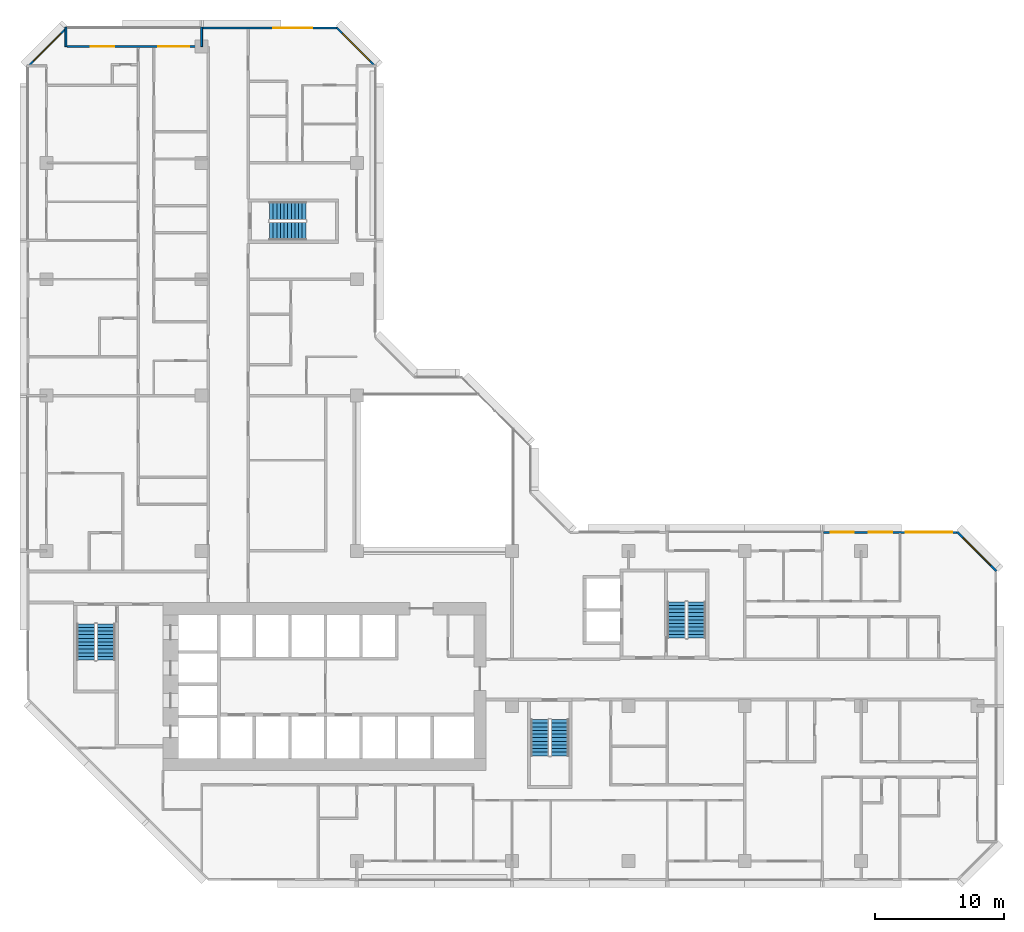
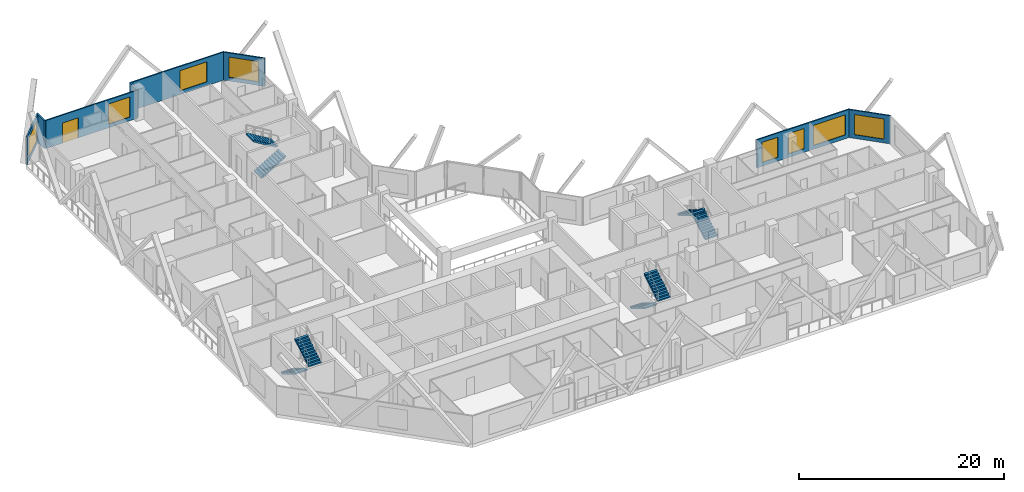
# One storey, part 13 of 15: 8 stair flights, 8 walls, 8 windows, 1 door, 9 openings, 4 elements without a shape of their own.
"""IFC4 building model written with IfcOpenShell, lengths in metres."""

from ifc_helpers import new_model, si_unit, direction, frame, frame_2d, origin, place, context, subcontext, project, spatial, polyline, rectangle, outline, extrude, material, layer, layer_set, type_object, element, fill, aggregate, save


model = new_model("IFC4")

# Units and contexts
model_context = context("Model", 3, precision=1e-05, world=origin(), true_north=direction((0.0, 1.0)))
body_context = subcontext(model_context, "Body", "Model", "MODEL_VIEW")
ifc_project = project(units=[si_unit("LENGTHUNIT", "METRE"), si_unit("AREAUNIT", "SQUARE_METRE"), si_unit("VOLUMEUNIT", "CUBIC_METRE"), si_unit("PLANEANGLEUNIT", "RADIAN"), si_unit("MASSUNIT", "GRAM", prefix="KILO")], contexts=[model_context])

# Site, building, storey
site_placement = place(None, origin())
site = spatial("IfcSite", under=ifc_project, at=site_placement, CompositionType="ELEMENT")
building_placement = place(site_placement, origin())
building = spatial("IfcBuilding", under=site, at=building_placement, Name="Chenar Terraces", CompositionType="ELEMENT")
storey_placement = place(building_placement, frame((0.0, 0.0, 121.89990234375)))
storey = spatial("IfcBuildingStorey", under=building, at=storey_placement, Name="L28", CompositionType="ELEMENT", Elevation=121.89990234375)

# Wall, openings, windows
ifc_material_1 = material(Name="Aluminium framed glazing", Category="aluminium")
ifc_layer_1 = layer(ifc_material_1, 0.14990234375)
ifc_layer_set_1 = layer_set([ifc_layer_1], Name="Aluminium framed glazing")
wall_type_1 = type_object("IfcWallType", Name="Glazed flush facade wall 150", PredefinedType="SOLIDWALL", material=ifc_layer_set_1)
wall_1_placement = place(storey_placement, frame((70.5, 25.425048828125, 0.0), z_axis=(0.0, 0.0, 1.0), x_axis=(-1.0, 0.0, 0.0)))
wall_1 = element("IfcWall", 1, at=wall_1_placement, inside=storey, type_object=wall_type_1, Name="Glazed flush facade wall", PredefinedType="SOLIDWALL", context=body_context, shape_type="SweptSolid", body=[
    extrude(rectangle(XDim=10.425048828125, YDim=0.14990234375, at=frame_2d((5.21240234375, 0.0))), origin(), (0.0, 0.0, 1.0), 3.35009765625),
])
opening_1_placement = place(wall_1_placement, frame((0.449951171875, 0.0, 0.449951171875)))
opening_1 = element("IfcOpeningElement", 2, at=opening_1_placement, cuts=wall_1, Name="Opening W360x240", PredefinedType="OPENING", context=body_context, shape_type="SweptSolid", body=[
    extrude(rectangle(XDim=3.60009765625, YDim=2.39990234375, at=frame_2d((1.800048828125, 1.199951171875))), frame((0.0, 0.0849609375, 0.0), z_axis=(0.0, -1.0, 0.0), x_axis=(1.0, 0.0, 0.0)), (0.0, 0.0, 1.0), 0.169921875),
])
opening_2_placement = place(wall_1_placement, frame((5.10009765625, 0.0, 0.449951171875)))
opening_2 = element("IfcOpeningElement", 3, at=opening_2_placement, cuts=wall_1, Name="Opening W180x240", PredefinedType="OPENING", context=body_context, shape_type="SweptSolid", body=[
    extrude(rectangle(XDim=1.800048828125, YDim=2.39990234375, at=frame_2d((0.89990234375, 1.199951171875))), frame((0.0, 0.0849609375, 0.0), z_axis=(0.0, -1.0, 0.0), x_axis=(1.0, 0.0, 0.0)), (0.0, 0.0, 1.0), 0.169921875),
])
opening_3_placement = place(wall_1_placement, frame((8.0625, 0.0, 0.449951171875)))
opening_3 = element("IfcOpeningElement", 4, at=opening_3_placement, cuts=wall_1, Name="Opening W180x240", PredefinedType="OPENING", context=body_context, shape_type="SweptSolid", body=[
    extrude(rectangle(XDim=1.800048828125, YDim=2.39990234375, at=frame_2d((0.89990234375, 1.199951171875))), frame((0.0, 0.0849609375, 0.0), z_axis=(0.0, -1.0, 0.0), x_axis=(1.0, 0.0, 0.0)), (0.0, 0.0, 1.0), 0.169921875),
])
ifc_material_2 = material(Name="Low emissivity double glazing, aluminium frame", Category="aluminium")
window_type_1 = type_object("IfcWindowType", Name="Fixed light 1800 x 2400", PartitioningType="SINGLE_PANEL", PredefinedType="WINDOW", material=ifc_material_2)
window_1_placement = place(opening_2_placement, origin())
window_1 = element("IfcWindow", 5, at=window_1_placement, inside=storey, type_object=window_type_1, Name="Window", OverallHeight=2.39990234375, OverallWidth=1.800048828125, PartitioningType="SINGLE_PANEL", PredefinedType="WINDOW", context=body_context, shape_type="SweptSolid", body=[
    extrude(rectangle(XDim=1.800048828125, YDim=2.39990234375, at=frame_2d((0.89990234375, 1.199951171875))), frame((0.0, 0.030029296875, 0.0), z_axis=(0.0, -1.0, 0.0), x_axis=(1.0, 0.0, 0.0)), (0.0, 0.0, 1.0), 0.06005859375),
])
fill(opening_2, window_1)
window_2_placement = place(opening_3_placement, origin())
window_2 = element("IfcWindow", 6, at=window_2_placement, inside=storey, type_object=window_type_1, Name="Window", OverallHeight=2.39990234375, OverallWidth=1.800048828125, PartitioningType="SINGLE_PANEL", PredefinedType="WINDOW", context=body_context, shape_type="SweptSolid", body=[
    extrude(rectangle(XDim=1.800048828125, YDim=2.39990234375, at=frame_2d((0.89990234375, 1.199951171875))), frame((0.0, 0.030029296875, 0.0), z_axis=(0.0, -1.0, 0.0), x_axis=(1.0, 0.0, 0.0)), (0.0, 0.0, 1.0), 0.06005859375),
])
fill(opening_3, window_2)
ifc_material_3 = material(Name="Low emissivity double glazing, aluminium frame", Category="aluminium")
window_type_2 = type_object("IfcWindowType", Name="Fixed light 3600 x 2400", PartitioningType="SINGLE_PANEL", PredefinedType="WINDOW", material=ifc_material_3)
window_3_placement = place(opening_1_placement, origin())
window_3 = element("IfcWindow", 7, at=window_3_placement, inside=storey, type_object=window_type_2, Name="Window", OverallHeight=2.39990234375, OverallWidth=3.60009765625, PartitioningType="SINGLE_PANEL", PredefinedType="WINDOW", context=body_context, shape_type="SweptSolid", body=[
    extrude(rectangle(XDim=3.60009765625, YDim=2.39990234375, at=frame_2d((1.800048828125, 1.199951171875))), frame((0.0, 0.030029296875, 0.0), z_axis=(0.0, -1.0, 0.0), x_axis=(1.0, 0.0, 0.0)), (0.0, 0.0, 1.0), 0.06005859375),
])
fill(opening_1, window_3)

# Wall, opening, window
wall_2_placement = place(storey_placement, frame((22.5, 64.425048828125, 0.0), z_axis=(0.0, 0.0, 1.0), x_axis=(-1.0, 0.0, 0.0)))
wall_2 = element("IfcWall", 8, at=wall_2_placement, inside=storey, type_object=wall_type_1, Name="Glazed flush facade wall", PredefinedType="SOLIDWALL", context=body_context, shape_type="SweptSolid", body=[
    extrude(rectangle(XDim=10.425048828125, YDim=0.14990234375, at=frame_2d((5.21240234375, 0.0))), origin(), (0.0, 0.0, 1.0), 3.35009765625),
])
opening_4_placement = place(wall_2_placement, frame((1.949951171875, 0.0, 0.449951171875)))
opening_4 = element("IfcOpeningElement", 9, at=opening_4_placement, cuts=wall_2, Name="Opening W300x240", PredefinedType="OPENING", context=body_context, shape_type="SweptSolid", body=[
    extrude(rectangle(XDim=3.0, YDim=2.39990234375, at=frame_2d((1.5, 1.199951171875))), frame((0.0, 0.0849609375, 0.0), z_axis=(0.0, -1.0, 0.0), x_axis=(1.0, 0.0, 0.0)), (0.0, 0.0, 1.0), 0.169921875),
])
ifc_material_4 = material(Name="Low emissivity double glazing, aluminium frame", Category="aluminium")
window_type_3 = type_object("IfcWindowType", Name="Fixed light 3000 x 2400", PartitioningType="SINGLE_PANEL", PredefinedType="WINDOW", material=ifc_material_4)
window_4_placement = place(opening_4_placement, origin())
window_4 = element("IfcWindow", 10, at=window_4_placement, inside=storey, type_object=window_type_3, Name="Window", OverallHeight=2.39990234375, OverallWidth=3.0, PartitioningType="SINGLE_PANEL", PredefinedType="WINDOW", context=body_context, shape_type="SweptSolid", body=[
    extrude(rectangle(XDim=3.0, YDim=2.39990234375, at=frame_2d((1.5, 1.199951171875))), frame((0.0, 0.030029296875, 0.0), z_axis=(0.0, -1.0, 0.0), x_axis=(1.0, 0.0, 0.0)), (0.0, 0.0, 1.0), 0.06005859375),
])
fill(opening_4, window_4)

# Wall, openings, window, door
ifc_material_5 = material(Name="Aluminium framed glazing", Category="aluminium")
ifc_layer_2 = layer(ifc_material_5, 0.14990234375)
ifc_layer_set_2 = layer_set([ifc_layer_2], Name="Aluminium framed glazing")
wall_type_2 = type_object("IfcWallType", Name="Glazed loggia back wall 150", PredefinedType="SOLIDWALL", material=ifc_layer_set_2)
wall_3_placement = place(storey_placement, frame((11.925048828125, 63.0, 0.0), z_axis=(0.0, 0.0, 1.0), x_axis=(-1.0, 0.0, 0.0)))
wall_3 = element("IfcWall", 11, at=wall_3_placement, inside=storey, type_object=wall_type_2, Name="Glazed loggia back wall", PredefinedType="SOLIDWALL", context=body_context, shape_type="SweptSolid", body=[
    extrude(rectangle(XDim=10.35009765625, YDim=0.14990234375, at=frame_2d((5.175048828125, 0.0))), origin(), (0.0, 0.0, 1.0), 3.35009765625),
])
opening_5_placement = place(wall_3_placement, frame((0.875, 0.0, 0.449951171875)))
opening_5 = element("IfcOpeningElement", 12, at=opening_5_placement, cuts=wall_3, Name="Opening W240x240", PredefinedType="OPENING", context=body_context, shape_type="SweptSolid", body=[
    extrude(rectangle(XDim=2.39990234375, YDim=2.39990234375, at=frame_2d((1.199951171875, 1.199951171875))), frame((0.0, 0.0849609375, 0.0), z_axis=(0.0, -1.0, 0.0), x_axis=(1.0, 0.0, 0.0)), (0.0, 0.0, 1.0), 0.169921875),
])
opening_6_placement = place(wall_3_placement, frame((6.6875, 0.0, 0.0)))
opening_6 = element("IfcOpeningElement", 13, at=opening_6_placement, cuts=wall_3, Name="Opening DL28-G3", PredefinedType="OPENING", context=body_context, shape_type="SweptSolid", body=[
    extrude(rectangle(XDim=1.800048828125, YDim=2.39990234375, at=frame_2d((0.89990234375, 1.199951171875))), frame((0.0, 0.0849609375, 0.0), z_axis=(0.0, -1.0, 0.0), x_axis=(1.0, 0.0, 0.0)), (0.0, 0.0, 1.0), 0.169921875),
])
ifc_material_6 = material(Name="Low emissivity double glazing, aluminium frame", Category="aluminium")
window_type_4 = type_object("IfcWindowType", Name="Fixed light 2400 x 2400", PartitioningType="SINGLE_PANEL", PredefinedType="WINDOW", material=ifc_material_6)
window_5_placement = place(opening_5_placement, origin())
window_5 = element("IfcWindow", 14, at=window_5_placement, inside=storey, type_object=window_type_4, Name="Window", OverallHeight=2.39990234375, OverallWidth=2.39990234375, PartitioningType="SINGLE_PANEL", PredefinedType="WINDOW", context=body_context, shape_type="SweptSolid", body=[
    extrude(rectangle(XDim=2.39990234375, YDim=2.39990234375, at=frame_2d((1.199951171875, 1.199951171875))), frame((0.0, 0.030029296875, 0.0), z_axis=(0.0, -1.0, 0.0), x_axis=(1.0, 0.0, 0.0)), (0.0, 0.0, 1.0), 0.06005859375),
])
fill(opening_5, window_5)
ifc_material_7 = material(Name="Low emissivity double glazing, aluminium frame", Category="aluminium")
door_type = type_object("IfcDoorType", Name="Loggia glazed double door 1800 x 2400", OperationType="DOUBLE_DOOR_SINGLE_SWING", PredefinedType="DOOR", material=ifc_material_7)
door_placement = place(opening_6_placement, frame((1.800048828125, 0.0, 0.0), z_axis=(0.0, 0.0, 1.0), x_axis=(-1.0, 0.0, 0.0)))
door = element("IfcDoor", 15, at=door_placement, inside=storey, type_object=door_type, Name="Loggia glazed door", OperationType="DOUBLE_DOOR_SINGLE_SWING", OverallHeight=2.39990234375, OverallWidth=1.800048828125, PredefinedType="DOOR", context=body_context, shape_type="SweptSolid", body=[
    extrude(rectangle(XDim=1.800048828125, YDim=2.39990234375, at=frame_2d((0.89990234375, 1.199951171875))), frame((0.0, 0.02490234375, 0.0), z_axis=(0.0, -1.0, 0.0), x_axis=(1.0, 0.0, 0.0)), (0.0, 0.0, 1.0), 0.050048828125),
])
fill(opening_6, door)

# Walls
ifc_material_8 = material(Name="Terracotta cladding on insulated backing", Category="masonry")
ifc_layer_3 = layer(ifc_material_8, 0.14990234375)
ifc_layer_set_3 = layer_set([ifc_layer_3], Name="Terracotta cladding on insulated backing")
wall_type_3 = type_object("IfcWallType", Name="Loggia return wall 150", PredefinedType="SOLIDWALL", material=ifc_layer_set_3)
for number, where, z_axis, x_axis, name in (
    (16, (12.0, 64.5, 0.0), (0.0, 0.0, 1.0), (0.0, -1.0, 0.0), "Loggia return wall"),
    (17, (1.5, 64.5, 0.0), (0.0, 0.0, 1.0), (0.0, -1.0, 0.0), "Loggia return wall"),
):
    element("IfcWall", number, at=place(storey_placement, frame(where, z_axis=z_axis, x_axis=x_axis)), inside=storey, type_object=wall_type_3, Name=name, PredefinedType="SOLIDWALL", context=body_context, shape_type="SweptSolid", body=[
        extrude(rectangle(XDim=1.5, YDim=0.14990234375, at=frame_2d((0.75, 0.0))), origin(), (0.0, 0.0, 1.0), 3.35009765625),
    ])

# Wall, opening, window
ifc_material_9 = material(Name="Terracotta cladding on insulated backing", Category="masonry")
ifc_layer_4 = layer(ifc_material_9, 0.14990234375)
ifc_layer_set_4 = layer_set([ifc_layer_4], Name="Terracotta cladding on insulated backing")
wall_type_4 = type_object("IfcWallType", Name="Terracotta rainscreen wall 150", PredefinedType="SOLIDWALL", material=ifc_layer_set_4)
wall_4_placement = place(storey_placement, frame((25.447021484375, 61.447021484375, 0.0), z_axis=(0.0, 0.0, 1.0), x_axis=(-0.707106781187, 0.707106781187, 0.0)))
wall_4 = element("IfcWall", 18, at=wall_4_placement, inside=storey, type_object=wall_type_4, Name="Terracotta rainscreen wall", PredefinedType="SOLIDWALL", context=body_context, shape_type="SweptSolid", body=[
    extrude(rectangle(XDim=4.24267578125, YDim=0.14990234375, at=frame_2d((2.121337890625, 0.0))), origin(), (0.0, 0.0, 1.0), 3.35009765625),
])
opening_7_placement = place(wall_4_placement, frame((0.621337890625, 0.0, 0.449951171875)))
opening_7 = element("IfcOpeningElement", 19, at=opening_7_placement, cuts=wall_4, Name="Opening W300x240", PredefinedType="OPENING", context=body_context, shape_type="SweptSolid", body=[
    extrude(rectangle(XDim=3.0, YDim=2.39990234375, at=frame_2d((1.5, 1.199951171875))), frame((0.0, 0.0849609375, 0.0), z_axis=(0.0, -1.0, 0.0), x_axis=(1.0, 0.0, 0.0)), (0.0, 0.0, 1.0), 0.169921875),
])
window_6_placement = place(opening_7_placement, origin())
window_6 = element("IfcWindow", 20, at=window_6_placement, inside=storey, type_object=window_type_3, Name="Window", OverallHeight=2.39990234375, OverallWidth=3.0, PartitioningType="SINGLE_PANEL", PredefinedType="WINDOW", context=body_context, shape_type="SweptSolid", body=[
    extrude(rectangle(XDim=3.0, YDim=2.39990234375, at=frame_2d((1.5, 1.199951171875))), frame((0.0, 0.030029296875, 0.0), z_axis=(0.0, -1.0, 0.0), x_axis=(1.0, 0.0, 0.0)), (0.0, 0.0, 1.0), 0.06005859375),
])
fill(opening_7, window_6)

wall_5_placement = place(storey_placement, frame((1.552978515625, 64.447021484375, 0.0), z_axis=(0.0, 0.0, 1.0), x_axis=(-0.707106781187, -0.707106781187, 0.0)))
wall_5 = element("IfcWall", 21, at=wall_5_placement, inside=storey, type_object=wall_type_4, Name="Terracotta rainscreen wall", PredefinedType="SOLIDWALL", context=body_context, shape_type="SweptSolid", body=[
    extrude(rectangle(XDim=4.24267578125, YDim=0.14990234375, at=frame_2d((2.121337890625, 0.0))), origin(), (0.0, 0.0, 1.0), 3.35009765625),
])
opening_8_placement = place(wall_5_placement, frame((0.621337890625, 0.0, 0.449951171875)))
opening_8 = element("IfcOpeningElement", 22, at=opening_8_placement, cuts=wall_5, Name="Opening W300x240", PredefinedType="OPENING", context=body_context, shape_type="SweptSolid", body=[
    extrude(rectangle(XDim=3.0, YDim=2.39990234375, at=frame_2d((1.5, 1.199951171875))), frame((0.0, 0.0849609375, 0.0), z_axis=(0.0, -1.0, 0.0), x_axis=(1.0, 0.0, 0.0)), (0.0, 0.0, 1.0), 0.169921875),
])
window_7_placement = place(opening_8_placement, origin())
window_7 = element("IfcWindow", 23, at=window_7_placement, inside=storey, type_object=window_type_3, Name="Window", OverallHeight=2.39990234375, OverallWidth=3.0, PartitioningType="SINGLE_PANEL", PredefinedType="WINDOW", context=body_context, shape_type="SweptSolid", body=[
    extrude(rectangle(XDim=3.0, YDim=2.39990234375, at=frame_2d((1.5, 1.199951171875))), frame((0.0, 0.030029296875, 0.0), z_axis=(0.0, -1.0, 0.0), x_axis=(1.0, 0.0, 0.0)), (0.0, 0.0, 1.0), 0.06005859375),
])
fill(opening_8, window_7)

wall_6_placement = place(storey_placement, frame((73.447021484375, 22.447021484375, 0.0), z_axis=(0.0, 0.0, 1.0), x_axis=(-0.707106781187, 0.707106781187, 0.0)))
wall_6 = element("IfcWall", 24, at=wall_6_placement, inside=storey, type_object=wall_type_4, Name="Terracotta rainscreen wall", PredefinedType="SOLIDWALL", context=body_context, shape_type="SweptSolid", body=[
    extrude(rectangle(XDim=4.24267578125, YDim=0.14990234375, at=frame_2d((2.121337890625, 0.0))), origin(), (0.0, 0.0, 1.0), 3.35009765625),
])
opening_9_placement = place(wall_6_placement, frame((0.621337890625, 0.0, 0.449951171875)))
opening_9 = element("IfcOpeningElement", 25, at=opening_9_placement, cuts=wall_6, Name="Opening W300x240", PredefinedType="OPENING", context=body_context, shape_type="SweptSolid", body=[
    extrude(rectangle(XDim=3.0, YDim=2.39990234375, at=frame_2d((1.5, 1.199951171875))), frame((0.0, 0.0849609375, 0.0), z_axis=(0.0, -1.0, 0.0), x_axis=(1.0, 0.0, 0.0)), (0.0, 0.0, 1.0), 0.169921875),
])
window_8_placement = place(opening_9_placement, origin())
window_8 = element("IfcWindow", 26, at=window_8_placement, inside=storey, type_object=window_type_3, Name="Window", OverallHeight=2.39990234375, OverallWidth=3.0, PartitioningType="SINGLE_PANEL", PredefinedType="WINDOW", context=body_context, shape_type="SweptSolid", body=[
    extrude(rectangle(XDim=3.0, YDim=2.39990234375, at=frame_2d((1.5, 1.199951171875))), frame((0.0, 0.030029296875, 0.0), z_axis=(0.0, -1.0, 0.0), x_axis=(1.0, 0.0, 0.0)), (0.0, 0.0, 1.0), 0.06005859375),
])
fill(opening_9, window_8)

# Stair, stair flights
ifc_material_10 = material(Name="Reinforced concrete C40/50", Category="concrete")
stair_type = type_object("IfcStairType", Name="Core stair 1400 half-turn", PredefinedType="HALF_TURN_STAIR", material=ifc_material_10)
placement = place(storey_placement, origin())
stair_1 = element("IfcStair", 27, at=placement, inside=storey, type_object=stair_type, Name="L28 Stair 1", PredefinedType="HALF_TURN_STAIR")
ifc_material_11 = material(Name="Reinforced concrete C40/50", Category="concrete")
stair_flight_type = type_object("IfcStairFlightType", Name="Core stair flight 1400", PredefinedType="STRAIGHT", material=ifc_material_11)
stair_flight_1_placement = place(storey_placement, frame((3.050048828125, 18.35009765625, 0.0), z_axis=(0.0, 0.0, 1.0), x_axis=(0.0, -1.0, 0.0)))
stair_flight_1 = element("IfcStairFlight", 28, at=stair_flight_1_placement, type_object=stair_flight_type, Name="ST1 flight 1", NumberOfRisers=11, NumberOfTreads=10, PredefinedType="STRAIGHT", RiserHeight=0.170454545, TreadLength=0.28, context=body_context, shape_type="SweptSolid", body=[
    extrude(outline(polyline([(-0.0029296875, 0.0), (-0.0029296875, 0.17041015625), (0.0, 0.17041015625), (0.280029296875, 0.17041015625), (0.280029296875, 0.3408203125), (0.56005859375, 0.3408203125), (0.56005859375, 0.511474609375), (0.840087890625, 0.511474609375), (0.840087890625, 0.681884765625), (1.1201171875, 0.681884765625), (1.1201171875, 0.852294921875), (1.39990234375, 0.852294921875), (1.39990234375, 1.022705078125), (1.679931640625, 1.022705078125), (1.679931640625, 1.193115234375), (1.9599609375, 1.193115234375), (1.9599609375, 1.363525390625), (2.239990234375, 1.363525390625), (2.239990234375, 1.5341796875), (2.52001953125, 1.5341796875), (2.52001953125, 1.70458984375), (2.800048828125, 1.70458984375), (2.802978515625, 1.70458984375), (2.802978515625, 1.529052734375), (2.800048828125, 1.529052734375), (0.288330078125, 0.0), (-0.0029296875, 0.0)])), frame((0.0, 0.699951171875, 0.0), z_axis=(0.0, -1.0, 0.0), x_axis=(1.0, 0.0, 0.0)), (0.0, 0.0, 1.0), 1.39990234375),
])
stair_flight_2_placement = place(storey_placement, frame((4.60009765625, 15.550048828125, 1.875), z_axis=(0.0, 0.0, 1.0), x_axis=(0.0, 1.0, 0.0)))
stair_flight_2 = element("IfcStairFlight", 29, at=stair_flight_2_placement, type_object=stair_flight_type, Name="ST1 flight 2", NumberOfRisers=11, NumberOfTreads=10, PredefinedType="STRAIGHT", RiserHeight=0.170454545, TreadLength=0.28, context=body_context, shape_type="SweptSolid", body=[
    extrude(outline(polyline([(-0.0029296875, 0.0), (-0.0029296875, 0.17041015625), (0.0, 0.17041015625), (0.280029296875, 0.17041015625), (0.280029296875, 0.3408203125), (0.56005859375, 0.3408203125), (0.56005859375, 0.511474609375), (0.840087890625, 0.511474609375), (0.840087890625, 0.681884765625), (1.1201171875, 0.681884765625), (1.1201171875, 0.852294921875), (1.39990234375, 0.852294921875), (1.39990234375, 1.022705078125), (1.679931640625, 1.022705078125), (1.679931640625, 1.193115234375), (1.9599609375, 1.193115234375), (1.9599609375, 1.363525390625), (2.239990234375, 1.363525390625), (2.239990234375, 1.5341796875), (2.52001953125, 1.5341796875), (2.52001953125, 1.70458984375), (2.800048828125, 1.70458984375), (2.802978515625, 1.70458984375), (2.802978515625, 1.529052734375), (2.800048828125, 1.529052734375), (0.288330078125, 0.0), (-0.0029296875, 0.0)])), frame((0.0, 0.699951171875, 0.0), z_axis=(0.0, -1.0, 0.0), x_axis=(1.0, 0.0, 0.0)), (0.0, 0.0, 1.0), 1.39990234375),
])
aggregate(stair_1, [stair_flight_1, stair_flight_2])

stair_2 = element("IfcStair", 30, at=placement, inside=storey, type_object=stair_type, Name="L28 Stair 2", PredefinedType="HALF_TURN_STAIR")
stair_flight_3_placement = place(storey_placement, frame((38.14990234375, 10.949951171875, 0.0), z_axis=(0.0, 0.0, 1.0), x_axis=(0.0, -1.0, 0.0)))
stair_flight_3 = element("IfcStairFlight", 31, at=stair_flight_3_placement, type_object=stair_flight_type, Name="ST2 flight 1", NumberOfRisers=11, NumberOfTreads=10, PredefinedType="STRAIGHT", RiserHeight=0.170454545, TreadLength=0.28, context=body_context, shape_type="SweptSolid", body=[
    extrude(outline(polyline([(-0.0029296875, 0.0), (-0.0029296875, 0.17041015625), (0.0, 0.17041015625), (0.280029296875, 0.17041015625), (0.280029296875, 0.3408203125), (0.56005859375, 0.3408203125), (0.56005859375, 0.511474609375), (0.840087890625, 0.511474609375), (0.840087890625, 0.681884765625), (1.1201171875, 0.681884765625), (1.1201171875, 0.852294921875), (1.39990234375, 0.852294921875), (1.39990234375, 1.022705078125), (1.679931640625, 1.022705078125), (1.679931640625, 1.193115234375), (1.9599609375, 1.193115234375), (1.9599609375, 1.363525390625), (2.239990234375, 1.363525390625), (2.239990234375, 1.5341796875), (2.52001953125, 1.5341796875), (2.52001953125, 1.70458984375), (2.800048828125, 1.70458984375), (2.802978515625, 1.70458984375), (2.802978515625, 1.529052734375), (2.800048828125, 1.529052734375), (0.288330078125, 0.0), (-0.0029296875, 0.0)])), frame((0.0, 0.699951171875, 0.0), z_axis=(0.0, -1.0, 0.0), x_axis=(1.0, 0.0, 0.0)), (0.0, 0.0, 1.0), 1.39990234375),
])
stair_flight_4_placement = place(storey_placement, frame((39.699951171875, 8.14990234375, 1.875), z_axis=(0.0, 0.0, 1.0), x_axis=(0.0, 1.0, 0.0)))
stair_flight_4 = element("IfcStairFlight", 32, at=stair_flight_4_placement, type_object=stair_flight_type, Name="ST2 flight 2", NumberOfRisers=11, NumberOfTreads=10, PredefinedType="STRAIGHT", RiserHeight=0.170454545, TreadLength=0.28, context=body_context, shape_type="SweptSolid", body=[
    extrude(outline(polyline([(-0.0029296875, 0.0), (-0.0029296875, 0.17041015625), (0.0, 0.17041015625), (0.280029296875, 0.17041015625), (0.280029296875, 0.3408203125), (0.56005859375, 0.3408203125), (0.56005859375, 0.511474609375), (0.840087890625, 0.511474609375), (0.840087890625, 0.681884765625), (1.1201171875, 0.681884765625), (1.1201171875, 0.852294921875), (1.39990234375, 0.852294921875), (1.39990234375, 1.022705078125), (1.679931640625, 1.022705078125), (1.679931640625, 1.193115234375), (1.9599609375, 1.193115234375), (1.9599609375, 1.363525390625), (2.239990234375, 1.363525390625), (2.239990234375, 1.5341796875), (2.52001953125, 1.5341796875), (2.52001953125, 1.70458984375), (2.800048828125, 1.70458984375), (2.802978515625, 1.70458984375), (2.802978515625, 1.529052734375), (2.800048828125, 1.529052734375), (0.288330078125, 0.0), (-0.0029296875, 0.0)])), frame((0.0, 0.699951171875, 0.0), z_axis=(0.0, -1.0, 0.0), x_axis=(1.0, 0.0, 0.0)), (0.0, 0.0, 1.0), 1.39990234375),
])
aggregate(stair_2, [stair_flight_3, stair_flight_4])

stair_3 = element("IfcStair", 33, at=placement, inside=storey, type_object=stair_type, Name="L28 Stair 3", PredefinedType="HALF_TURN_STAIR")
stair_flight_5_placement = place(storey_placement, frame((50.27490234375, 17.25, 0.0), z_axis=(0.0, 0.0, 1.0), x_axis=(0.0, 1.0, 0.0)))
stair_flight_5 = element("IfcStairFlight", 34, at=stair_flight_5_placement, type_object=stair_flight_type, Name="ST3 flight 1", NumberOfRisers=11, NumberOfTreads=10, PredefinedType="STRAIGHT", RiserHeight=0.170454545, TreadLength=0.28, context=body_context, shape_type="SweptSolid", body=[
    extrude(outline(polyline([(-0.0029296875, 0.0), (-0.0029296875, 0.17041015625), (0.0, 0.17041015625), (0.280029296875, 0.17041015625), (0.280029296875, 0.3408203125), (0.56005859375, 0.3408203125), (0.56005859375, 0.511474609375), (0.840087890625, 0.511474609375), (0.840087890625, 0.681884765625), (1.1201171875, 0.681884765625), (1.1201171875, 0.852294921875), (1.39990234375, 0.852294921875), (1.39990234375, 1.022705078125), (1.679931640625, 1.022705078125), (1.679931640625, 1.193115234375), (1.9599609375, 1.193115234375), (1.9599609375, 1.363525390625), (2.239990234375, 1.363525390625), (2.239990234375, 1.5341796875), (2.52001953125, 1.5341796875), (2.52001953125, 1.70458984375), (2.800048828125, 1.70458984375), (2.802978515625, 1.70458984375), (2.802978515625, 1.529052734375), (2.800048828125, 1.529052734375), (0.288330078125, 0.0), (-0.0029296875, 0.0)])), frame((0.0, 0.699951171875, 0.0), z_axis=(0.0, -1.0, 0.0), x_axis=(1.0, 0.0, 0.0)), (0.0, 0.0, 1.0), 1.39990234375),
])
stair_flight_6_placement = place(storey_placement, frame((48.72509765625, 20.050048828125, 1.875), z_axis=(0.0, 0.0, 1.0), x_axis=(0.0, -1.0, 0.0)))
stair_flight_6 = element("IfcStairFlight", 35, at=stair_flight_6_placement, type_object=stair_flight_type, Name="ST3 flight 2", NumberOfRisers=11, NumberOfTreads=10, PredefinedType="STRAIGHT", RiserHeight=0.170454545, TreadLength=0.28, context=body_context, shape_type="SweptSolid", body=[
    extrude(outline(polyline([(-0.0029296875, 0.0), (-0.0029296875, 0.17041015625), (0.0, 0.17041015625), (0.280029296875, 0.17041015625), (0.280029296875, 0.3408203125), (0.56005859375, 0.3408203125), (0.56005859375, 0.511474609375), (0.840087890625, 0.511474609375), (0.840087890625, 0.681884765625), (1.1201171875, 0.681884765625), (1.1201171875, 0.852294921875), (1.39990234375, 0.852294921875), (1.39990234375, 1.022705078125), (1.679931640625, 1.022705078125), (1.679931640625, 1.193115234375), (1.9599609375, 1.193115234375), (1.9599609375, 1.363525390625), (2.239990234375, 1.363525390625), (2.239990234375, 1.5341796875), (2.52001953125, 1.5341796875), (2.52001953125, 1.70458984375), (2.800048828125, 1.70458984375), (2.802978515625, 1.70458984375), (2.802978515625, 1.529052734375), (2.800048828125, 1.529052734375), (0.288330078125, 0.0), (-0.0029296875, 0.0)])), frame((0.0, 0.699951171875, 0.0), z_axis=(0.0, -1.0, 0.0), x_axis=(1.0, 0.0, 0.0)), (0.0, 0.0, 1.0), 1.39990234375),
])
aggregate(stair_3, [stair_flight_5, stair_flight_6])

stair_4 = element("IfcStair", 36, at=placement, inside=storey, type_object=stair_type, Name="L28 Stair 4", PredefinedType="HALF_TURN_STAIR")
stair_flight_7_placement = place(storey_placement, frame((17.25, 48.72509765625, 0.0), z_axis=(0.0, 0.0, 1.0), x_axis=(1.0, 0.0, 0.0)))
stair_flight_7 = element("IfcStairFlight", 37, at=stair_flight_7_placement, type_object=stair_flight_type, Name="ST4 flight 1", NumberOfRisers=11, NumberOfTreads=10, PredefinedType="STRAIGHT", RiserHeight=0.170454545, TreadLength=0.28, context=body_context, shape_type="SweptSolid", body=[
    extrude(outline(polyline([(-0.0029296875, 0.0), (-0.0029296875, 0.17041015625), (0.0, 0.17041015625), (0.280029296875, 0.17041015625), (0.280029296875, 0.3408203125), (0.56005859375, 0.3408203125), (0.56005859375, 0.511474609375), (0.840087890625, 0.511474609375), (0.840087890625, 0.681884765625), (1.1201171875, 0.681884765625), (1.1201171875, 0.852294921875), (1.39990234375, 0.852294921875), (1.39990234375, 1.022705078125), (1.679931640625, 1.022705078125), (1.679931640625, 1.193115234375), (1.9599609375, 1.193115234375), (1.9599609375, 1.363525390625), (2.239990234375, 1.363525390625), (2.239990234375, 1.5341796875), (2.52001953125, 1.5341796875), (2.52001953125, 1.70458984375), (2.800048828125, 1.70458984375), (2.802978515625, 1.70458984375), (2.802978515625, 1.529052734375), (2.800048828125, 1.529052734375), (0.288330078125, 0.0), (-0.0029296875, 0.0)])), frame((0.0, 0.699951171875, 0.0), z_axis=(0.0, -1.0, 0.0), x_axis=(1.0, 0.0, 0.0)), (0.0, 0.0, 1.0), 1.39990234375),
])
stair_flight_8_placement = place(storey_placement, frame((20.050048828125, 50.27490234375, 1.875), z_axis=(0.0, 0.0, 1.0), x_axis=(-1.0, 0.0, 0.0)))
stair_flight_8 = element("IfcStairFlight", 38, at=stair_flight_8_placement, type_object=stair_flight_type, Name="ST4 flight 2", NumberOfRisers=11, NumberOfTreads=10, PredefinedType="STRAIGHT", RiserHeight=0.170454545, TreadLength=0.28, context=body_context, shape_type="SweptSolid", body=[
    extrude(outline(polyline([(-0.0029296875, 0.0), (-0.0029296875, 0.17041015625), (0.0, 0.17041015625), (0.280029296875, 0.17041015625), (0.280029296875, 0.3408203125), (0.56005859375, 0.3408203125), (0.56005859375, 0.511474609375), (0.840087890625, 0.511474609375), (0.840087890625, 0.681884765625), (1.1201171875, 0.681884765625), (1.1201171875, 0.852294921875), (1.39990234375, 0.852294921875), (1.39990234375, 1.022705078125), (1.679931640625, 1.022705078125), (1.679931640625, 1.193115234375), (1.9599609375, 1.193115234375), (1.9599609375, 1.363525390625), (2.239990234375, 1.363525390625), (2.239990234375, 1.5341796875), (2.52001953125, 1.5341796875), (2.52001953125, 1.70458984375), (2.800048828125, 1.70458984375), (2.802978515625, 1.70458984375), (2.802978515625, 1.529052734375), (2.800048828125, 1.529052734375), (0.288330078125, 0.0), (-0.0029296875, 0.0)])), frame((0.0, 0.699951171875, 0.0), z_axis=(0.0, -1.0, 0.0), x_axis=(1.0, 0.0, 0.0)), (0.0, 0.0, 1.0), 1.39990234375),
])
aggregate(stair_4, [stair_flight_7, stair_flight_8])

save(model, "model.ifc")
